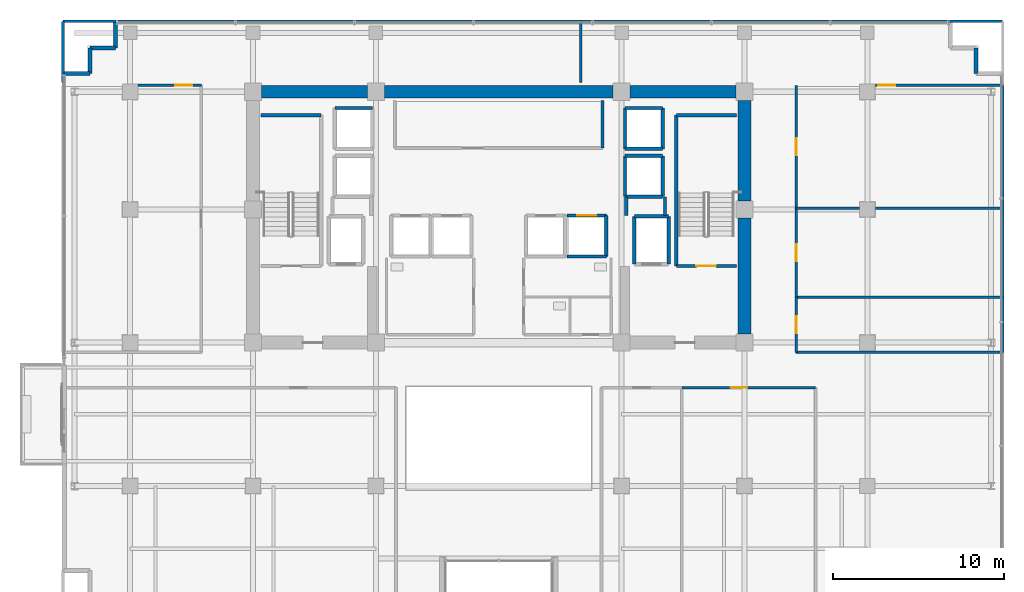
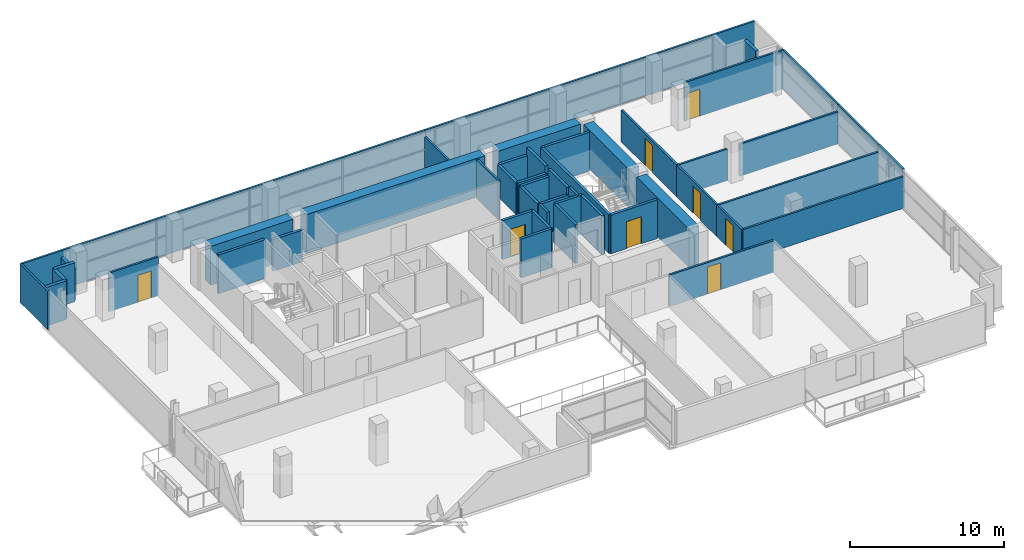
# One storey, part 17 of 23: 49 walls, 8 doors, 8 openings.
"""IFC4 building model written with IfcOpenShell, lengths in metres."""

from ifc_helpers import new_model, si_unit, direction, frame, frame_2d, origin, place, context, subcontext, project, spatial, rectangle, extrude, source, transform, mapped, material, layer, layer_set, type_object, element, fill, save


model = new_model("IFC4")

# Units and contexts
model_context = context("Model", 3, precision=1e-05, world=origin(), true_north=direction((0.0, 1.0)))
body_context = subcontext(model_context, "Body", "Model", "MODEL_VIEW")
ifc_project = project(units=[si_unit("LENGTHUNIT", "METRE"), si_unit("AREAUNIT", "SQUARE_METRE"), si_unit("VOLUMEUNIT", "CUBIC_METRE"), si_unit("PLANEANGLEUNIT", "RADIAN"), si_unit("MASSUNIT", "GRAM", prefix="KILO")], contexts=[model_context])

# Site, building, storey
site_placement = place(None, origin())
site = spatial("IfcSite", under=ifc_project, at=site_placement, CompositionType="ELEMENT")
building_placement = place(site_placement, origin())
building = spatial("IfcBuilding", under=site, at=building_placement, Name="Zarnakvel Exchange Tower", CompositionType="ELEMENT")
storey_placement = place(building_placement, frame((0.0, 0.0, 123.10009765625)))
storey = spatial("IfcBuildingStorey", under=building, at=storey_placement, Name="L34", CompositionType="ELEMENT", Elevation=123.10009765625)

# Walls
ifc_material_1 = material(Name="Concrete C60/75", Category="concrete")
ifc_layer_1 = layer(ifc_material_1, 0.75)
ifc_layer_set_1 = layer_set([ifc_layer_1], Name="Concrete C60/75")
wall_type_1 = type_object("IfcWallType", Name="CW-C3", PredefinedType="SHEAR", material=ifc_layer_set_1)
wall_1_placement = place(storey_placement, frame((-13.89990234375, 13.5, 0.0), z_axis=(0.0, 0.0, 1.0), x_axis=(1.0, 0.0, 0.0)))
element("IfcWall", 1, at=wall_1_placement, inside=storey, type_object=wall_type_1, Name="L34 Rear Core Shear Wall N1 (CW-C3)", PredefinedType="SHEAR", context=body_context, shape_type="SweptSolid", body=[
    extrude(rectangle(XDim=6.199951171875, YDim=0.75, at=frame_2d((3.10009765625, 0.0))), origin(), (0.0, 0.0, 1.0), 3.074951171875),
])
wall_2_placement = place(storey_placement, frame((-6.699951171875, 13.5, 0.0), z_axis=(0.0, 0.0, 1.0), x_axis=(1.0, 0.0, 0.0)))
element("IfcWall", 2, at=wall_2_placement, inside=storey, type_object=wall_type_1, Name="L34 Rear Core Shear Wall N2 (CW-C3)", PredefinedType="SHEAR", context=body_context, shape_type="SweptSolid", body=[
    extrude(rectangle(XDim=13.39990234375, YDim=0.75, at=frame_2d((6.699951171875, 0.0))), origin(), (0.0, 0.0, 1.0), 3.074951171875),
])
wall_3_placement = place(storey_placement, frame((7.699951171875, 13.5, 0.0), z_axis=(0.0, 0.0, 1.0), x_axis=(1.0, 0.0, 0.0)))
element("IfcWall", 3, at=wall_3_placement, inside=storey, type_object=wall_type_1, Name="L34 Rear Core Shear Wall N3 (CW-C3)", PredefinedType="SHEAR", context=body_context, shape_type="SweptSolid", body=[
    extrude(rectangle(XDim=6.199951171875, YDim=0.75, at=frame_2d((3.10009765625, 0.0))), origin(), (0.0, 0.0, 1.0), 3.074951171875),
])
wall_4_placement = place(storey_placement, frame((14.39990234375, -0.699951171875, 0.0), z_axis=(0.0, 0.0, 1.0), x_axis=(0.0, 1.0, 0.0)))
element("IfcWall", 4, at=wall_4_placement, inside=storey, type_object=wall_type_1, Name="L34 Rear Core Shear Wall E1 (CW-C3)", PredefinedType="SHEAR", context=body_context, shape_type="SweptSolid", body=[
    extrude(rectangle(XDim=6.800048828125, YDim=0.75, at=frame_2d((3.39990234375, 0.0))), origin(), (0.0, 0.0, 1.0), 3.074951171875),
])
wall_5_placement = place(storey_placement, frame((14.39990234375, 7.10009765625, 0.0), z_axis=(0.0, 0.0, 1.0), x_axis=(0.0, 1.0, 0.0)))
element("IfcWall", 5, at=wall_5_placement, inside=storey, type_object=wall_type_1, Name="L34 Rear Core Shear Wall E2 (CW-C3)", PredefinedType="SHEAR", context=body_context, shape_type="SweptSolid", body=[
    extrude(rectangle(XDim=5.89990234375, YDim=0.75, at=frame_2d((2.949951171875, 0.0))), origin(), (0.0, 0.0, 1.0), 3.074951171875),
])
ifc_material_2 = material(Name="Precast concrete C40/50", Category="concrete")
ifc_layer_2 = layer(ifc_material_2, 0.239990234375)
ifc_layer_set_2 = layer_set([ifc_layer_2], Name="Precast concrete C40/50")
wall_type_2 = type_object("IfcWallType", Name="EW-02", PredefinedType="SOLIDWALL", material=ifc_layer_set_2)
for number, where, z_axis, x_axis, name in (
    (6, (-23.9599609375, 14.56005859375, 0.0), (0.0, 0.0, 1.0), (-1.0, 0.0, 0.0), "L34 Exterior Precast Spandrel Wall EWC-L34-03 (EW-02)"),
    (7, (-23.9599609375, 16.06005859375, 0.0), (0.0, 0.0, 1.0), (0.0, -1.0, 0.0), "L34 Exterior Precast Spandrel Wall EWC-L34-04 (EW-02)"),
    (8, (-22.4599609375, 16.06005859375, 0.0), (0.0, 0.0, 1.0), (-1.0, 0.0, 0.0), "L34 Exterior Precast Spandrel Wall EWC-L34-05 (EW-02)"),
):
    element("IfcWall", number, at=place(storey_placement, frame(where, z_axis=z_axis, x_axis=x_axis)), inside=storey, type_object=wall_type_2, Name=name, PredefinedType="SOLIDWALL", context=body_context, shape_type="SweptSolid", body=[
        extrude(rectangle(XDim=1.5, YDim=0.239990234375, at=frame_2d((0.75, 0.0))), origin(), (0.0, 0.0, 1.0), 3.074951171875),
    ])
wall_6_placement = place(storey_placement, frame((-22.4599609375, 17.56005859375, 0.0), z_axis=(0.0, 0.0, 1.0), x_axis=(0.0, -1.0, 0.0)))
element("IfcWall", 9, at=wall_6_placement, inside=storey, type_object=wall_type_2, Name="L34 Exterior Precast Spandrel Wall EWC-L34-06 (EW-02)", PredefinedType="SOLIDWALL", context=body_context, shape_type="SweptSolid", body=[
    extrude(rectangle(XDim=1.5, YDim=0.239990234375, at=frame_2d((0.75, 0.0))), origin(), (0.0, 0.0, 1.0), 2.56494140625),
])
wall_7_placement = place(storey_placement, frame((27.9599609375, 14.56005859375, 0.0), z_axis=(0.0, 0.0, 1.0), x_axis=(0.0, 1.0, 0.0)))
element("IfcWall", 10, at=wall_7_placement, inside=storey, type_object=wall_type_2, Name="L34 Exterior Precast Spandrel Wall EWC-L34-09 (EW-02)", PredefinedType="SOLIDWALL", context=body_context, shape_type="SweptSolid", body=[
    extrude(rectangle(XDim=1.5, YDim=0.239990234375, at=frame_2d((0.75, 0.0))), origin(), (0.0, 0.0, 1.0), 3.074951171875),
])
ifc_material_3 = material(Name="Fire-Rated Gypsum Stud Partition", Category="gypsum")
ifc_layer_3 = layer(ifc_material_3, 0.14990234375)
ifc_layer_set_3 = layer_set([ifc_layer_3], Name="Fire-Rated Gypsum Stud Partition")
wall_type_3 = type_object("IfcWallType", Name="PT-01", PredefinedType="PARTITIONING", material=ifc_layer_set_3)
wall_8_placement = place(storey_placement, frame((6.080078125, 13.0, 0.0), z_axis=(0.0, 0.0, 1.0), x_axis=(0.0, -1.0, 0.0)))
element("IfcWall", 11, at=wall_8_placement, inside=storey, type_object=wall_type_3, Name="L34 Partition Wall PWALL-L34-013 (PT-01)", PredefinedType="PARTITIONING", context=body_context, shape_type="SweptSolid", body=[
    extrude(rectangle(XDim=2.800048828125, YDim=0.14990234375, at=frame_2d((1.39990234375, 0.0))), origin(), (0.0, 0.0, 1.0), 3.074951171875),
])

# Wall, opening, door
wall_9_placement = place(storey_placement, frame((10.72900390625, -3.830078125, 0.0), z_axis=(0.0, 0.0, 1.0), x_axis=(1.0, 0.0, 0.0)))
wall_9 = element("IfcWall", 12, at=wall_9_placement, inside=storey, type_object=wall_type_3, Name="L34 Partition Wall PWALL-L34-034 (PT-01)", PredefinedType="PARTITIONING", context=body_context, shape_type="SweptSolid", body=[
    extrude(rectangle(XDim=7.8369140625, YDim=0.14990234375, at=frame_2d((3.91845703125, 0.0))), origin(), (0.0, 0.0, 1.0), 2.514892578125),
])
opening_1_placement = place(wall_9_placement, frame((2.86083984375, 0.0, 0.0)))
opening_1 = element("IfcOpeningElement", 13, at=opening_1_placement, cuts=wall_9, Name="Opening D-L34-12", PredefinedType="OPENING", context=body_context, shape_type="SweptSolid", body=[
    extrude(rectangle(XDim=0.97998046875, YDim=2.14990234375, at=frame_2d((0.489990234375, 1.074951171875))), frame((0.0, 0.0849609375, 0.0), z_axis=(0.0, -1.0, 0.0), x_axis=(1.0, 0.0, 0.0)), (0.0, 0.0, 1.0), 0.169921875),
])
ifc_material_4 = material(Name="Timber Acoustic Veneer", Category="wood")
door_type_1 = type_object("IfcDoorType", Name="DT-05", OperationType="NOTDEFINED", PredefinedType="DOOR", material=ifc_material_4)
shared_shape_1 = source(origin(), body_context, "Body", "SweptSolid", [
    extrude(rectangle(XDim=0.97998046875, YDim=2.14990234375, at=frame_2d((0.489990234375, 1.074951171875))), frame((0.0, 0.02490234375, 0.0), z_axis=(0.0, -1.0, 0.0), x_axis=(1.0, 0.0, 0.0)), (0.0, 0.0, 1.0), 0.050048828125),
])
door_1_placement = place(opening_1_placement, origin())
door_1 = element("IfcDoor", 14, at=door_1_placement, inside=storey, type_object=door_type_1, Name="L34 Executive Office Door D-L34-12", OperationType="SINGLE_SWING_RIGHT", OverallHeight=2.14990234375, OverallWidth=0.97998046875, PredefinedType="DOOR", context=body_context, shape_type="MappedRepresentation", body=[
    mapped(shared_shape_1, transform((0.0, 0.0, 0.0), x_axis=(1.0, 0.0, 0.0), y_axis=(0.0, 1.0, 0.0), z_axis=(0.0, 0.0, 1.0), scale=1.0)),
])
fill(opening_1, door_1)

wall_10_placement = place(storey_placement, frame((-21.1298828125, 13.8798828125, 0.0), z_axis=(0.0, 0.0, 1.0), x_axis=(1.0, 0.0, 0.0)))
wall_10 = element("IfcWall", 15, at=wall_10_placement, inside=storey, type_object=wall_type_3, Name="L34 Partition Wall PWALL-L34-037 (PT-01)", PredefinedType="PARTITIONING", context=body_context, shape_type="SweptSolid", body=[
    extrude(rectangle(XDim=3.699951171875, YDim=0.14990234375, at=frame_2d((1.85009765625, 0.0))), origin(), (0.0, 0.0, 1.0), 3.074951171875),
])
opening_2_placement = place(wall_10_placement, frame((2.18994140625, 0.0, 0.0)))
opening_2 = element("IfcOpeningElement", 16, at=opening_2_placement, cuts=wall_10, Name="Opening D-L34-17", PredefinedType="OPENING", context=body_context, shape_type="SweptSolid", body=[
    extrude(rectangle(XDim=0.97998046875, YDim=2.14990234375, at=frame_2d((0.489990234375, 1.074951171875))), frame((0.0, 0.0849609375, 0.0), z_axis=(0.0, -1.0, 0.0), x_axis=(1.0, 0.0, 0.0)), (0.0, 0.0, 1.0), 0.169921875),
])
door_2_placement = place(opening_2_placement, origin())
door_2 = element("IfcDoor", 17, at=door_2_placement, inside=storey, type_object=door_type_1, Name="L34 Risk Analytics Suite Door D-L34-17", OperationType="SINGLE_SWING_LEFT", OverallHeight=2.14990234375, OverallWidth=0.97998046875, PredefinedType="DOOR", context=body_context, shape_type="MappedRepresentation", body=[
    mapped(shared_shape_1, transform((0.0, 0.0, 0.0), x_axis=(1.0, 0.0, 0.0), y_axis=(0.0, 1.0, 0.0), z_axis=(0.0, 0.0, 1.0), scale=1.0)),
])
fill(opening_2, door_2)

# Walls
for number, where, z_axis, x_axis, name in (
    (18, (29.530029296875, -1.77001953125, 0.0), (0.0, 0.0, 1.0), (-1.0, 0.0, 0.0), "L34 Partition Wall PWALL-L34-040 (PT-01)"),
    (19, (17.429931640625, 1.460205078125, 0.0), (0.0, 0.0, 1.0), (1.0, 0.0, 0.0), "L34 Partition Wall PWALL-L34-041 (PT-01)"),
):
    element("IfcWall", number, at=place(storey_placement, frame(where, z_axis=z_axis, x_axis=x_axis)), inside=storey, type_object=wall_type_3, Name=name, PredefinedType="PARTITIONING", context=body_context, shape_type="SweptSolid", body=[
        extrude(rectangle(XDim=12.10009765625, YDim=0.14990234375, at=frame_2d((6.050048828125, 0.0))), origin(), (0.0, 0.0, 1.0), 2.514892578125),
    ])

# Wall, opening, door
wall_11_placement = place(storey_placement, frame((17.429931640625, -1.77001953125, 0.0), z_axis=(0.0, 0.0, 1.0), x_axis=(0.0, 1.0, 0.0)))
wall_11 = element("IfcWall", 20, at=wall_11_placement, inside=storey, type_object=wall_type_3, Name="L34 Partition Wall PWALL-L34-042 (PT-01)", PredefinedType="PARTITIONING", context=body_context, shape_type="SweptSolid", body=[
    extrude(rectangle(XDim=3.230224609375, YDim=0.14990234375, at=frame_2d((1.615234375, 0.0))), origin(), (0.0, 0.0, 1.0), 2.514892578125),
])
opening_3_placement = place(wall_11_placement, frame((1.125, 0.0, 0.0)))
opening_3 = element("IfcOpeningElement", 21, at=opening_3_placement, cuts=wall_11, Name="Opening D-L34-14", PredefinedType="OPENING", context=body_context, shape_type="SweptSolid", body=[
    extrude(rectangle(XDim=0.97998046875, YDim=2.14990234375, at=frame_2d((0.489990234375, 1.074951171875))), frame((0.0, 0.0849609375, 0.0), z_axis=(0.0, -1.0, 0.0), x_axis=(1.0, 0.0, 0.0)), (0.0, 0.0, 1.0), 0.169921875),
])
door_3_placement = place(opening_3_placement, origin())
door_3 = element("IfcDoor", 22, at=door_3_placement, inside=storey, type_object=door_type_1, Name="L34 Staff Pantry Door D-L34-14", OperationType="SINGLE_SWING_RIGHT", OverallHeight=2.14990234375, OverallWidth=0.97998046875, PredefinedType="DOOR", context=body_context, shape_type="MappedRepresentation", body=[
    mapped(shared_shape_1, transform((0.0, 0.0, 0.0), x_axis=(1.0, 0.0, 0.0), y_axis=(0.0, 1.0, 0.0), z_axis=(0.0, 0.0, 1.0), scale=1.0)),
])
fill(opening_3, door_3)

# Walls
wall_12_placement = place(storey_placement, frame((29.530029296875, 1.460205078125, 0.0), z_axis=(0.0, 0.0, 1.0), x_axis=(0.0, -1.0, 0.0)))
element("IfcWall", 23, at=wall_12_placement, inside=storey, type_object=wall_type_3, Name="L34 Partition Wall PWALL-L34-043 (PT-01)", PredefinedType="PARTITIONING", context=body_context, shape_type="SweptSolid", body=[
    extrude(rectangle(XDim=3.230224609375, YDim=0.14990234375, at=frame_2d((1.615234375, 0.0))), origin(), (0.0, 0.0, 1.0), 3.074951171875),
])
wall_13_placement = place(storey_placement, frame((22.070068359375, 6.6767578125, 0.0), z_axis=(0.0, 0.0, 1.0), x_axis=(1.0, 0.0, 0.0)))
element("IfcWall", 24, at=wall_13_placement, inside=storey, type_object=wall_type_3, Name="L34 Partition Wall PWALL-L34-044 (PT-01)", PredefinedType="PARTITIONING", context=body_context, shape_type="SweptSolid", body=[
    extrude(rectangle(XDim=7.4599609375, YDim=0.14990234375, at=frame_2d((3.72998046875, 0.0))), origin(), (0.0, 0.0, 1.0), 2.56494140625),
])

# Wall, opening, door
wall_14_placement = place(storey_placement, frame((17.429931640625, 1.460205078125, 0.0), z_axis=(0.0, 0.0, 1.0), x_axis=(0.0, 1.0, 0.0)))
wall_14 = element("IfcWall", 25, at=wall_14_placement, inside=storey, type_object=wall_type_3, Name="L34 Partition Wall PWALL-L34-045 (PT-01)", PredefinedType="PARTITIONING", context=body_context, shape_type="SweptSolid", body=[
    extrude(rectangle(XDim=5.216552734375, YDim=0.14990234375, at=frame_2d((2.6083984375, 0.0))), origin(), (0.0, 0.0, 1.0), 2.514892578125),
])
opening_4_placement = place(wall_14_placement, frame((2.117919921875, 0.0, 0.0)))
opening_4 = element("IfcOpeningElement", 26, at=opening_4_placement, cuts=wall_14, Name="Opening D-L34-15", PredefinedType="OPENING", context=body_context, shape_type="SweptSolid", body=[
    extrude(rectangle(XDim=0.97998046875, YDim=2.14990234375, at=frame_2d((0.489990234375, 1.074951171875))), frame((0.0, 0.0849609375, 0.0), z_axis=(0.0, -1.0, 0.0), x_axis=(1.0, 0.0, 0.0)), (0.0, 0.0, 1.0), 0.169921875),
])
door_4_placement = place(opening_4_placement, origin())
door_4 = element("IfcDoor", 27, at=door_4_placement, inside=storey, type_object=door_type_1, Name="L34 Risk Analytics Suite Door D-L34-15", OperationType="SINGLE_SWING_LEFT", OverallHeight=2.14990234375, OverallWidth=0.97998046875, PredefinedType="DOOR", context=body_context, shape_type="MappedRepresentation", body=[
    mapped(shared_shape_1, transform((0.0, 0.0, 0.0), x_axis=(1.0, 0.0, 0.0), y_axis=(0.0, 1.0, 0.0), z_axis=(0.0, 0.0, 1.0), scale=1.0)),
])
fill(opening_4, door_4)

# Walls
wall_15_placement = place(storey_placement, frame((29.530029296875, 6.6767578125, 0.0), z_axis=(0.0, 0.0, 1.0), x_axis=(0.0, -1.0, 0.0)))
element("IfcWall", 28, at=wall_15_placement, inside=storey, type_object=wall_type_3, Name="L34 Partition Wall PWALL-L34-046 (PT-01)", PredefinedType="PARTITIONING", context=body_context, shape_type="SweptSolid", body=[
    extrude(rectangle(XDim=5.216552734375, YDim=0.14990234375, at=frame_2d((2.6083984375, 0.0))), origin(), (0.0, 0.0, 1.0), 3.074951171875),
])
wall_16_placement = place(storey_placement, frame((21.1298828125, 6.6767578125, 0.0), z_axis=(0.0, 0.0, 1.0), x_axis=(-1.0, 0.0, 0.0)))
element("IfcWall", 29, at=wall_16_placement, inside=storey, type_object=wall_type_3, Name="L34 Partition Wall PWALL-L34-047 (PT-01)", PredefinedType="PARTITIONING", context=body_context, shape_type="SweptSolid", body=[
    extrude(rectangle(XDim=3.699951171875, YDim=0.14990234375, at=frame_2d((1.85009765625, 0.0))), origin(), (0.0, 0.0, 1.0), 2.514892578125),
])

# Wall, opening, door
wall_17_placement = place(storey_placement, frame((22.070068359375, 13.8798828125, 0.0), z_axis=(0.0, 0.0, 1.0), x_axis=(1.0, 0.0, 0.0)))
wall_17 = element("IfcWall", 30, at=wall_17_placement, inside=storey, type_object=wall_type_3, Name="L34 Partition Wall PWALL-L34-048 (PT-01)", PredefinedType="PARTITIONING", context=body_context, shape_type="SweptSolid", body=[
    extrude(rectangle(XDim=7.4599609375, YDim=0.14990234375, at=frame_2d((3.72998046875, 0.0))), origin(), (0.0, 0.0, 1.0), 3.074951171875),
])
opening_5_placement = place(wall_17_placement, frame((0.179931640625, 0.0, 0.0)))
opening_5 = element("IfcOpeningElement", 31, at=opening_5_placement, cuts=wall_17, Name="Opening D-L34-18", PredefinedType="OPENING", context=body_context, shape_type="SweptSolid", body=[
    extrude(rectangle(XDim=0.97998046875, YDim=2.14990234375, at=frame_2d((0.489990234375, 1.074951171875))), frame((0.0, 0.0849609375, 0.0), z_axis=(0.0, -1.0, 0.0), x_axis=(1.0, 0.0, 0.0)), (0.0, 0.0, 1.0), 0.169921875),
])
door_5_placement = place(opening_5_placement, origin())
door_5 = element("IfcDoor", 32, at=door_5_placement, inside=storey, type_object=door_type_1, Name="L34 Members Lounge Door D-L34-18", OperationType="SINGLE_SWING_RIGHT", OverallHeight=2.14990234375, OverallWidth=0.97998046875, PredefinedType="DOOR", context=body_context, shape_type="MappedRepresentation", body=[
    mapped(shared_shape_1, transform((0.0, 0.0, 0.0), x_axis=(1.0, 0.0, 0.0), y_axis=(0.0, 1.0, 0.0), z_axis=(0.0, 0.0, 1.0), scale=1.0)),
])
fill(opening_5, door_5)

wall_18_placement = place(storey_placement, frame((17.429931640625, 6.6767578125, 0.0), z_axis=(0.0, 0.0, 1.0), x_axis=(0.0, 1.0, 0.0)))
wall_18 = element("IfcWall", 33, at=wall_18_placement, inside=storey, type_object=wall_type_3, Name="L34 Partition Wall PWALL-L34-049 (PT-01)", PredefinedType="PARTITIONING", context=body_context, shape_type="SweptSolid", body=[
    extrude(rectangle(XDim=7.203125, YDim=0.14990234375, at=frame_2d((3.6015625, 0.0))), origin(), (0.0, 0.0, 1.0), 2.514892578125),
])
opening_6_placement = place(wall_18_placement, frame((3.111083984375, 0.0, 0.0)))
opening_6 = element("IfcOpeningElement", 34, at=opening_6_placement, cuts=wall_18, Name="Opening D-L34-16", PredefinedType="OPENING", context=body_context, shape_type="SweptSolid", body=[
    extrude(rectangle(XDim=0.97998046875, YDim=2.14990234375, at=frame_2d((0.489990234375, 1.074951171875))), frame((0.0, 0.0849609375, 0.0), z_axis=(0.0, -1.0, 0.0), x_axis=(1.0, 0.0, 0.0)), (0.0, 0.0, 1.0), 0.169921875),
])
door_6_placement = place(opening_6_placement, origin())
door_6 = element("IfcDoor", 35, at=door_6_placement, inside=storey, type_object=door_type_1, Name="L34 Members Lounge Door D-L34-16", OperationType="SINGLE_SWING_RIGHT", OverallHeight=2.14990234375, OverallWidth=0.97998046875, PredefinedType="DOOR", context=body_context, shape_type="MappedRepresentation", body=[
    mapped(shared_shape_1, transform((0.0, 0.0, 0.0), x_axis=(1.0, 0.0, 0.0), y_axis=(0.0, 1.0, 0.0), z_axis=(0.0, 0.0, 1.0), scale=1.0)),
])
fill(opening_6, door_6)

# Walls
wall_19_placement = place(storey_placement, frame((29.530029296875, 13.8798828125, 0.0), z_axis=(0.0, 0.0, 1.0), x_axis=(0.0, -1.0, 0.0)))
element("IfcWall", 36, at=wall_19_placement, inside=storey, type_object=wall_type_3, Name="L34 Partition Wall PWALL-L34-050 (PT-01)", PredefinedType="PARTITIONING", context=body_context, shape_type="SweptSolid", body=[
    extrude(rectangle(XDim=7.203125, YDim=0.14990234375, at=frame_2d((3.6015625, 0.0))), origin(), (0.0, 0.0, 1.0), 3.074951171875),
])
wall_20_placement = place(storey_placement, frame((-25.530029296875, 17.6298828125, 0.0), z_axis=(0.0, 0.0, 1.0), x_axis=(1.0, 0.0, 0.0)))
element("IfcWall", 37, at=wall_20_placement, inside=storey, type_object=wall_type_3, Name="L34 Partition Wall PWALL-L34-051 (PT-01)", PredefinedType="PARTITIONING", context=body_context, shape_type="SweptSolid", body=[
    extrude(rectangle(XDim=30.330078125, YDim=0.14990234375, at=frame_2d((15.1650390625, 0.0))), origin(), (0.0, 0.0, 1.0), 3.074951171875),
])
wall_21_placement = place(storey_placement, frame((-25.530029296875, 14.030029296875, 0.0), z_axis=(0.0, 0.0, 1.0), x_axis=(0.0, 1.0, 0.0)))
element("IfcWall", 38, at=wall_21_placement, inside=storey, type_object=wall_type_3, Name="L34 Partition Wall PWALL-L34-052 (PT-01)", PredefinedType="PARTITIONING", context=body_context, shape_type="SweptSolid", body=[
    extrude(rectangle(XDim=3.599853515625, YDim=0.14990234375, at=frame_2d((1.7998046875, 0.0))), origin(), (0.0, 0.0, 1.0), 3.074951171875),
])
wall_22_placement = place(storey_placement, frame((4.800048828125, 17.6298828125, 0.0), z_axis=(0.0, 0.0, 1.0), x_axis=(0.0, -1.0, 0.0)))
element("IfcWall", 39, at=wall_22_placement, inside=storey, type_object=wall_type_3, Name="L34 Partition Wall PWALL-L34-053 (PT-01)", PredefinedType="PARTITIONING", context=body_context, shape_type="SweptSolid", body=[
    extrude(rectangle(XDim=3.599853515625, YDim=0.14990234375, at=frame_2d((1.7998046875, 0.0))), origin(), (0.0, 0.0, 1.0), 2.56494140625),
])
wall_23_placement = place(storey_placement, frame((4.800048828125, 17.6298828125, 0.0), z_axis=(0.0, 0.0, 1.0), x_axis=(1.0, 0.0, 0.0)))
element("IfcWall", 40, at=wall_23_placement, inside=storey, type_object=wall_type_3, Name="L34 Partition Wall PWALL-L34-054 (PT-01)", PredefinedType="PARTITIONING", context=body_context, shape_type="SweptSolid", body=[
    extrude(rectangle(XDim=24.72998046875, YDim=0.14990234375, at=frame_2d((12.364990234375, 0.0))), origin(), (0.0, 0.0, 1.0), 3.074951171875),
])
ifc_layer_4 = layer(ifc_material_3, 0.179931640625)
ifc_layer_set_4 = layer_set([ifc_layer_4], Name="Fire-Rated Gypsum Stud Partition")
wall_type_4 = type_object("IfcWallType", Name="PT-02", PredefinedType="PARTITIONING", material=ifc_layer_set_4)
wall_24_placement = place(storey_placement, frame((7.469970703125, 6.239990234375, 0.0), z_axis=(0.0, 0.0, 1.0), x_axis=(0.0, 1.0, 0.0)))
element("IfcWall", 41, at=wall_24_placement, inside=storey, type_object=wall_type_4, Name="L34 Partition Wall PWALL-L34-009 (PT-02)", PredefinedType="PARTITIONING", context=body_context, shape_type="SweptSolid", body=[
    extrude(rectangle(XDim=1.090087890625, YDim=0.179931640625, at=frame_2d((0.544921875, 0.0))), origin(), (0.0, 0.0, 1.0), 2.514892578125),
])
wall_25_placement = place(storey_placement, frame((9.72998046875, 7.330078125, 0.0), z_axis=(0.0, 0.0, 1.0), x_axis=(0.0, -1.0, 0.0)))
element("IfcWall", 42, at=wall_25_placement, inside=storey, type_object=wall_type_4, Name="L34 Partition Wall PWALL-L34-010 (PT-02)", PredefinedType="PARTITIONING", context=body_context, shape_type="SweptSolid", body=[
    extrude(rectangle(XDim=1.090087890625, YDim=0.179931640625, at=frame_2d((0.544921875, 0.0))), origin(), (0.0, 0.0, 1.0), 3.074951171875),
])
ifc_material_5 = material(Name="Concrete C40/50", Category="concrete")
ifc_layer_5 = layer(ifc_material_5, 0.199951171875)
ifc_layer_set_5 = layer_set([ifc_layer_5], Name="Concrete C40/50")
wall_type_5 = type_object("IfcWallType", Name="SW-01", PredefinedType="SOLIDWALL", material=ifc_layer_set_5)
wall_26_placement = place(storey_placement, frame((7.949951171875, 6.199951171875, 0.0), z_axis=(0.0, 0.0, 1.0), x_axis=(1.0, 0.0, 0.0)))
element("IfcWall", 43, at=wall_26_placement, inside=storey, type_object=wall_type_5, Name="L34 FL-02 Hoistway Wall North", PredefinedType="SOLIDWALL", context=body_context, shape_type="SweptSolid", body=[
    extrude(rectangle(XDim=2.0, YDim=0.199951171875, at=frame_2d((1.0, 0.0))), origin(), (0.0, 0.0, 1.0), 3.074951171875),
])
for number, where, z_axis, x_axis, name in (
    (44, (7.949951171875, 3.39990234375, 0.0), (0.0, 0.0, 1.0), (0.0, 1.0, 0.0), "L34 FL-02 Hoistway Wall West"),
    (45, (9.949951171875, 6.199951171875, 0.0), (0.0, 0.0, 1.0), (0.0, -1.0, 0.0), "L34 FL-02 Hoistway Wall East"),
):
    element("IfcWall", number, at=place(storey_placement, frame(where, z_axis=z_axis, x_axis=x_axis)), inside=storey, type_object=wall_type_5, Name=name, PredefinedType="SOLIDWALL", context=body_context, shape_type="SweptSolid", body=[
        extrude(rectangle(XDim=2.800048828125, YDim=0.199951171875, at=frame_2d((1.39990234375, 0.0))), origin(), (0.0, 0.0, 1.0), 3.074951171875),
    ])
wall_27_placement = place(storey_placement, frame((6.300048828125, 3.85009765625, 0.0), z_axis=(0.0, 0.0, 1.0), x_axis=(-1.0, 0.0, 0.0)))
element("IfcWall", 46, at=wall_27_placement, inside=storey, type_object=wall_type_5, Name="L34 PL-08 Hoistway Wall South", PredefinedType="SOLIDWALL", context=body_context, shape_type="SweptSolid", body=[
    extrude(rectangle(XDim=2.300048828125, YDim=0.199951171875, at=frame_2d((1.14990234375, 0.0))), origin(), (0.0, 0.0, 1.0), 3.074951171875),
])

# Wall, opening, door
wall_28_placement = place(storey_placement, frame((4.0, 6.25, 0.0), z_axis=(0.0, 0.0, 1.0), x_axis=(1.0, 0.0, 0.0)))
wall_28 = element("IfcWall", 47, at=wall_28_placement, inside=storey, type_object=wall_type_5, Name="L34 PL-08 Hoistway Wall North", PredefinedType="SOLIDWALL", context=body_context, shape_type="SweptSolid", body=[
    extrude(rectangle(XDim=2.300048828125, YDim=0.199951171875, at=frame_2d((1.14990234375, 0.0))), origin(), (0.0, 0.0, 1.0), 3.074951171875),
])
opening_7_placement = place(wall_28_placement, frame((0.60009765625, 0.0, 0.0)))
opening_7 = element("IfcOpeningElement", 48, at=opening_7_placement, cuts=wall_28, Name="Opening LD-PL-08-L34", PredefinedType="OPENING", context=body_context, shape_type="SweptSolid", body=[
    extrude(rectangle(XDim=1.10009765625, YDim=2.199951171875, at=frame_2d((0.550048828125, 1.10009765625))), frame((0.0, 0.10986328125, 0.0), z_axis=(0.0, -1.0, 0.0), x_axis=(1.0, 0.0, 0.0)), (0.0, 0.0, 1.0), 0.219970703125),
])
ifc_material_6 = material(Name="Architectural Bronze Anodised Aluminium", Category="aluminium")
door_type_2 = type_object("IfcDoorType", Name="LDT-02", OperationType="NOTDEFINED", PredefinedType="DOOR", material=ifc_material_6)
shared_shape_2 = source(origin(), body_context, "Body", "SweptSolid", [
    extrude(rectangle(XDim=1.10009765625, YDim=2.199951171875, at=frame_2d((0.550048828125, 1.10009765625))), frame((0.0, 0.02490234375, 0.0), z_axis=(0.0, -1.0, 0.0), x_axis=(1.0, 0.0, 0.0)), (0.0, 0.0, 1.0), 0.050048828125),
])
door_7_placement = place(opening_7_placement, origin())
door_7 = element("IfcDoor", 49, at=door_7_placement, inside=storey, type_object=door_type_2, Name="L34 PL-08 Lift Landing Door LD-PL-08-L34", OperationType="DOUBLE_DOOR_SLIDING", OverallHeight=2.199951171875, OverallWidth=1.10009765625, PredefinedType="DOOR", context=body_context, shape_type="MappedRepresentation", body=[
    mapped(shared_shape_2, transform((0.0, 0.0, 0.0), x_axis=(1.0, 0.0, 0.0), y_axis=(0.0, 1.0, 0.0), z_axis=(0.0, 0.0, 1.0), scale=1.0)),
])
fill(opening_7, door_7)

# Walls
wall_29_placement = place(storey_placement, frame((6.300048828125, 6.25, 0.0), z_axis=(0.0, 0.0, 1.0), x_axis=(0.0, -1.0, 0.0)))
element("IfcWall", 50, at=wall_29_placement, inside=storey, type_object=wall_type_5, Name="L34 PL-08 Hoistway Wall East", PredefinedType="SOLIDWALL", context=body_context, shape_type="SweptSolid", body=[
    extrude(rectangle(XDim=2.39990234375, YDim=0.199951171875, at=frame_2d((1.199951171875, 0.0))), origin(), (0.0, 0.0, 1.0), 3.074951171875),
])
for number, where, z_axis, x_axis, name in (
    (51, (-9.60009765625, 12.550048828125, 0.0), (0.0, 0.0, 1.0), (1.0, 0.0, 0.0), "L34 PL-10 Hoistway Wall North"),
    (52, (9.60009765625, 7.35009765625, 0.0), (0.0, 0.0, 1.0), (-1.0, 0.0, 0.0), "L34 PL-11 Hoistway Wall South"),
    (53, (7.39990234375, 9.75, 0.0), (0.0, 0.0, 1.0), (1.0, 0.0, 0.0), "L34 PL-11 Hoistway Wall North"),
):
    element("IfcWall", number, at=place(storey_placement, frame(where, z_axis=z_axis, x_axis=x_axis)), inside=storey, type_object=wall_type_5, Name=name, PredefinedType="SOLIDWALL", context=body_context, shape_type="SweptSolid", body=[
        extrude(rectangle(XDim=2.2001953125, YDim=0.199951171875, at=frame_2d((1.10009765625, 0.0))), origin(), (0.0, 0.0, 1.0), 2.514892578125),
    ])
wall_30_placement = place(storey_placement, frame((7.39990234375, 7.35009765625, 0.0), z_axis=(0.0, 0.0, 1.0), x_axis=(0.0, 1.0, 0.0)))
element("IfcWall", 54, at=wall_30_placement, inside=storey, type_object=wall_type_5, Name="L34 PL-11 Hoistway Wall West", PredefinedType="SOLIDWALL", context=body_context, shape_type="SweptSolid", body=[
    extrude(rectangle(XDim=2.39990234375, YDim=0.199951171875, at=frame_2d((1.199951171875, 0.0))), origin(), (0.0, 0.0, 1.0), 2.514892578125),
])
wall_31_placement = place(storey_placement, frame((9.60009765625, 9.75, 0.0), z_axis=(0.0, 0.0, 1.0), x_axis=(0.0, -1.0, 0.0)))
element("IfcWall", 55, at=wall_31_placement, inside=storey, type_object=wall_type_5, Name="L34 PL-11 Hoistway Wall East", PredefinedType="SOLIDWALL", context=body_context, shape_type="SweptSolid", body=[
    extrude(rectangle(XDim=2.39990234375, YDim=0.199951171875, at=frame_2d((1.199951171875, 0.0))), origin(), (0.0, 0.0, 1.0), 3.074951171875),
])
for number, where, z_axis, x_axis, name in (
    (56, (9.60009765625, 10.14990234375, 0.0), (0.0, 0.0, 1.0), (-1.0, 0.0, 0.0), "L34 PL-12 Hoistway Wall South"),
    (57, (7.39990234375, 12.550048828125, 0.0), (0.0, 0.0, 1.0), (1.0, 0.0, 0.0), "L34 PL-12 Hoistway Wall North"),
):
    element("IfcWall", number, at=place(storey_placement, frame(where, z_axis=z_axis, x_axis=x_axis)), inside=storey, type_object=wall_type_5, Name=name, PredefinedType="SOLIDWALL", context=body_context, shape_type="SweptSolid", body=[
        extrude(rectangle(XDim=2.2001953125, YDim=0.199951171875, at=frame_2d((1.10009765625, 0.0))), origin(), (0.0, 0.0, 1.0), 2.514892578125),
    ])
wall_32_placement = place(storey_placement, frame((7.39990234375, 10.14990234375, 0.0), z_axis=(0.0, 0.0, 1.0), x_axis=(0.0, 1.0, 0.0)))
element("IfcWall", 58, at=wall_32_placement, inside=storey, type_object=wall_type_5, Name="L34 PL-12 Hoistway Wall West", PredefinedType="SOLIDWALL", context=body_context, shape_type="SweptSolid", body=[
    extrude(rectangle(XDim=2.400146484375, YDim=0.199951171875, at=frame_2d((1.2001953125, 0.0))), origin(), (0.0, 0.0, 1.0), 2.514892578125),
])
wall_33_placement = place(storey_placement, frame((9.60009765625, 12.550048828125, 0.0), z_axis=(0.0, 0.0, 1.0), x_axis=(0.0, -1.0, 0.0)))
element("IfcWall", 59, at=wall_33_placement, inside=storey, type_object=wall_type_5, Name="L34 PL-12 Hoistway Wall East", PredefinedType="SOLIDWALL", context=body_context, shape_type="SweptSolid", body=[
    extrude(rectangle(XDim=2.400146484375, YDim=0.199951171875, at=frame_2d((1.2001953125, 0.0))), origin(), (0.0, 0.0, 1.0), 3.074951171875),
])
ifc_layer_6 = layer(ifc_material_5, 0.199951171875)
ifc_layer_set_6 = layer_set([ifc_layer_6], Name="Concrete C40/50")
wall_type_6 = type_object("IfcWallType", Name="SW-02", PredefinedType="SOLIDWALL", material=ifc_layer_set_6)
wall_34_placement = place(storey_placement, frame((-13.929931640625, 12.1298828125, 0.0), z_axis=(0.0, 0.0, 1.0), x_axis=(1.0, 0.0, 0.0)))
element("IfcWall", 60, at=wall_34_placement, inside=storey, type_object=wall_type_6, Name="L34 Stairwell Core Wall PWALL-L34-002 (SW-02)", PredefinedType="SOLIDWALL", context=body_context, shape_type="SweptSolid", body=[
    extrude(rectangle(XDim=3.52001953125, YDim=0.199951171875, at=frame_2d((1.760009765625, 0.0))), origin(), (0.0, 0.0, 1.0), 3.074951171875),
])

# Wall, opening, door
wall_35_placement = place(storey_placement, frame((13.929931640625, 3.2900390625, 0.0), z_axis=(0.0, 0.0, 1.0), x_axis=(-1.0, 0.0, 0.0)))
wall_35 = element("IfcWall", 61, at=wall_35_placement, inside=storey, type_object=wall_type_6, Name="L34 Stairwell Core Wall PWALL-L34-004 (SW-02)", PredefinedType="SOLIDWALL", context=body_context, shape_type="SweptSolid", body=[
    extrude(rectangle(XDim=3.52001953125, YDim=0.199951171875, at=frame_2d((1.760009765625, 0.0))), origin(), (0.0, 0.0, 1.0), 3.074951171875),
])
opening_8_placement = place(wall_35_placement, frame((1.205078125, 0.0, 0.0)))
opening_8 = element("IfcOpeningElement", 62, at=opening_8_placement, cuts=wall_35, Name="Opening D-L34-02", PredefinedType="OPENING", context=body_context, shape_type="SweptSolid", body=[
    extrude(rectangle(XDim=1.14990234375, YDim=2.14990234375, at=frame_2d((0.574951171875, 1.074951171875))), frame((0.0, 0.10986328125, 0.0), z_axis=(0.0, -1.0, 0.0), x_axis=(1.0, 0.0, 0.0)), (0.0, 0.0, 1.0), 0.219970703125),
])
ifc_material_7 = material(Name="Painted Galvanised Steel S355", Category="steel")
door_type_3 = type_object("IfcDoorType", Name="DT-04", OperationType="NOTDEFINED", PredefinedType="DOOR", material=ifc_material_7)
shared_shape_3 = source(origin(), body_context, "Body", "SweptSolid", [
    extrude(rectangle(XDim=1.14990234375, YDim=2.14990234375, at=frame_2d((0.574951171875, 1.074951171875))), frame((0.0, 0.02490234375, 0.0), z_axis=(0.0, -1.0, 0.0), x_axis=(1.0, 0.0, 0.0)), (0.0, 0.0, 1.0), 0.050048828125),
])
door_8_placement = place(opening_8_placement, origin())
door_8 = element("IfcDoor", 63, at=door_8_placement, inside=storey, type_object=door_type_3, Name="L34 Stairwell ST-02 Door D-L34-02", OperationType="SINGLE_SWING_RIGHT", OverallHeight=2.14990234375, OverallWidth=1.14990234375, PredefinedType="DOOR", context=body_context, shape_type="MappedRepresentation", body=[
    mapped(shared_shape_3, transform((0.0, 0.0, 0.0), x_axis=(1.0, 0.0, 0.0), y_axis=(0.0, 1.0, 0.0), z_axis=(0.0, 0.0, 1.0), scale=1.0)),
])
fill(opening_8, door_8)

# Walls
wall_36_placement = place(storey_placement, frame((10.409912109375, 12.1298828125, 0.0), z_axis=(0.0, 0.0, 1.0), x_axis=(1.0, 0.0, 0.0)))
element("IfcWall", 64, at=wall_36_placement, inside=storey, type_object=wall_type_6, Name="L34 Stairwell Core Wall PWALL-L34-005 (SW-02)", PredefinedType="SOLIDWALL", context=body_context, shape_type="SweptSolid", body=[
    extrude(rectangle(XDim=3.52001953125, YDim=0.199951171875, at=frame_2d((1.760009765625, 0.0))), origin(), (0.0, 0.0, 1.0), 3.074951171875),
])
wall_37_placement = place(storey_placement, frame((10.409912109375, 3.2900390625, 0.0), z_axis=(0.0, 0.0, 1.0), x_axis=(0.0, 1.0, 0.0)))
element("IfcWall", 65, at=wall_37_placement, inside=storey, type_object=wall_type_6, Name="L34 Stairwell Core Wall PWALL-L34-006 (SW-02)", PredefinedType="SOLIDWALL", context=body_context, shape_type="SweptSolid", body=[
    extrude(rectangle(XDim=8.83984375, YDim=0.199951171875, at=frame_2d((4.419921875, 0.0))), origin(), (0.0, 0.0, 1.0), 3.074951171875),
])

save(model, "model.ifc")
